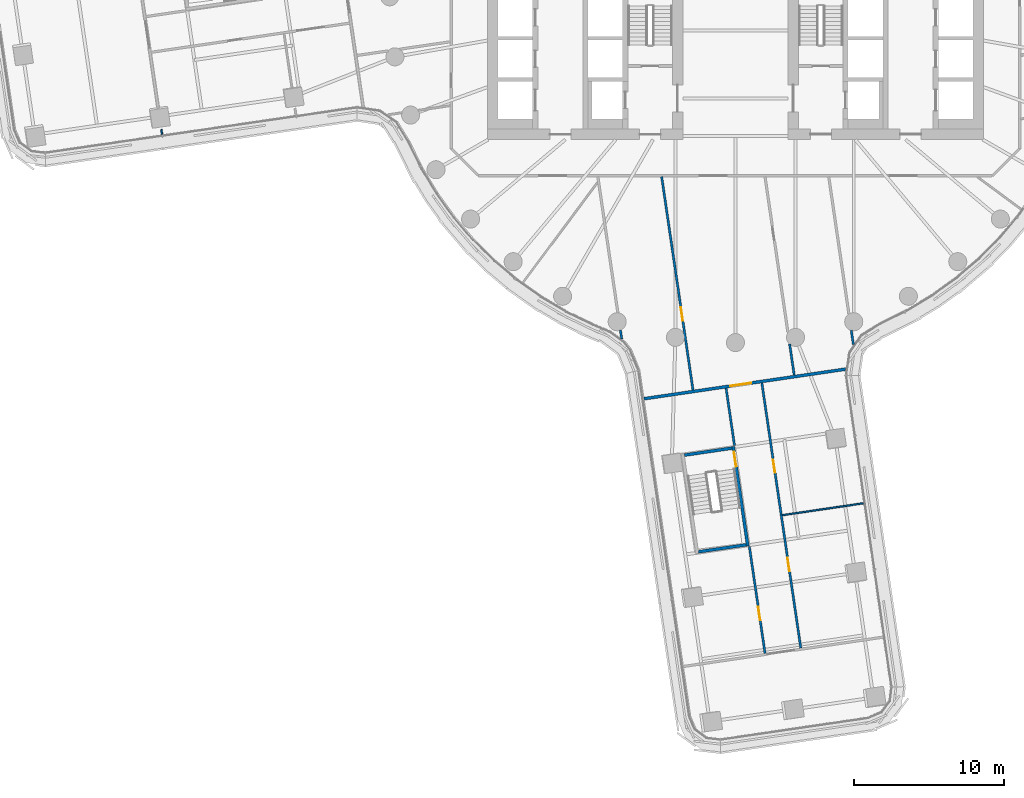
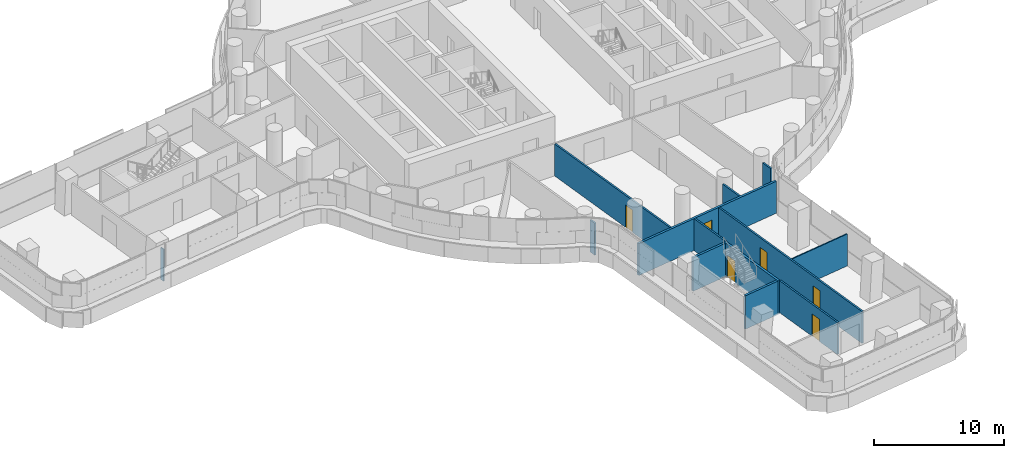
# One storey, part 19 of 31: 13 walls, 6 doors, 6 openings.
"""IFC4 building model written with IfcOpenShell, lengths in metres."""

from ifc_helpers import new_model, si_unit, direction, frame, frame_2d, origin, place, context, subcontext, project, spatial, polyline, rectangle, outline, extrude, material, layer, layer_set, type_object, element, fill, save


model = new_model("IFC4")

# Units and contexts
model_context = context("Model", 3, precision=1e-05, world=origin(), true_north=direction((0.0, 1.0)))
body_context = subcontext(model_context, "Body", "Model", "MODEL_VIEW")
ifc_project = project(units=[si_unit("LENGTHUNIT", "METRE"), si_unit("AREAUNIT", "SQUARE_METRE"), si_unit("VOLUMEUNIT", "CUBIC_METRE"), si_unit("PLANEANGLEUNIT", "RADIAN"), si_unit("MASSUNIT", "GRAM", prefix="KILO")], contexts=[model_context])

# Site, building, storey
site_placement = place(None, origin())
site = spatial("IfcSite", under=ifc_project, at=site_placement, CompositionType="ELEMENT")
building_placement = place(site_placement, origin())
building = spatial("IfcBuilding", under=site, at=building_placement, Name="Tamarind Cross Interchange Tower", CompositionType="ELEMENT")
storey_placement = place(building_placement, frame((0.0, 0.0, 64.0)))
storey = spatial("IfcBuildingStorey", under=building, at=storey_placement, Name="L14", CompositionType="ELEMENT", Elevation=64.0)

# Walls
ifc_material_1 = material(Name="Gypsum board partition on steel studs", Category="steel")
ifc_layer_1 = layer(ifc_material_1, 0.10009765625)
ifc_layer_set_1 = layer_set([ifc_layer_1], Name="Gypsum board partition on steel studs")
wall_type_1 = type_object("IfcWallType", Name="Partition 100 mm EI 90", PredefinedType="PARTITIONING", material=ifc_layer_set_1)
wall_1_placement = place(storey_placement, frame((-38.18994140625, -8.8203125, 0.0), z_axis=(0.0, 0.0, 1.0), x_axis=(0.145703721626, -0.98932826984, 0.0)))
element("IfcWall", 1, at=wall_1_placement, inside=storey, type_object=wall_type_1, Name="Partition L14-003", PredefinedType="PARTITIONING", context=body_context, shape_type="SweptSolid", body=[
    extrude(rectangle(XDim=0.335205078125, YDim=0.10009765625, at=frame_2d((0.16748046875, 0.0))), origin(), (0.0, 0.0, 1.0), 3.010009765625),
])
wall_2_placement = place(storey_placement, frame((3.1171875, -34.479736328125, 0.0), z_axis=(0.0, 0.0, 1.0), x_axis=(0.989367298144, 0.145438472775, 0.0)))
element("IfcWall", 2, at=wall_2_placement, inside=storey, type_object=wall_type_1, Name="Partition L14-064", PredefinedType="PARTITIONING", context=body_context, shape_type="SweptSolid", body=[
    extrude(rectangle(XDim=5.44384765625, YDim=0.10009765625, at=frame_2d((2.721923828125, 0.0))), origin(), (0.0, 0.0, 1.0), 3.010009765625),
])
ifc_layer_2 = layer(ifc_material_1, 0.14990234375)
ifc_layer_set_2 = layer_set([ifc_layer_2], Name="Gypsum board partition on steel studs")
wall_type_2 = type_object("IfcWallType", Name="Partition 150 mm EI 120", PredefinedType="PARTITIONING", material=ifc_layer_set_2)
wall_3_placement = place(storey_placement, frame((-7.65380859375, -22.166015625, 0.0), z_axis=(0.0, 0.0, 1.0), x_axis=(0.145848814809, -0.989306890312, 0.0)))
element("IfcWall", 3, at=wall_3_placement, inside=storey, type_object=wall_type_2, Name="Partition L14-008", PredefinedType="PARTITIONING", context=body_context, shape_type="SweptSolid", body=[
    extrude(rectangle(XDim=0.59423828125, YDim=0.14990234375, at=frame_2d((0.297119140625, 0.0))), origin(), (0.0, 0.0, 1.0), 3.010009765625),
])
wall_4_placement = place(storey_placement, frame((-0.62451171875, -26.033447265625, 0.0), z_axis=(0.0, 0.0, 1.0), x_axis=(0.145368383694, -0.989377598808, 0.0)))
element("IfcWall", 4, at=wall_4_placement, inside=storey, type_object=wall_type_2, Name="Partition L14-011", PredefinedType="PARTITIONING", context=body_context, shape_type="SweptSolid", body=[
    extrude(rectangle(XDim=3.861083984375, YDim=0.14990234375, at=frame_2d((1.9306640625, 0.0))), origin(), (0.0, 0.0, 1.0), 3.010009765625),
])

# Wall, opening, door
wall_5_placement = place(storey_placement, frame((0.922119140625, -36.560791015625, 0.0), z_axis=(0.0, 0.0, 1.0), x_axis=(0.145395120225, -0.989373670063, 0.0)))
wall_5 = element("IfcWall", 5, at=wall_5_placement, inside=storey, type_object=wall_type_2, Name="Partition L14-012", PredefinedType="PARTITIONING", context=body_context, shape_type="SweptSolid", body=[
    extrude(rectangle(XDim=7.18017578125, YDim=0.14990234375, at=frame_2d((3.590087890625, 0.0))), origin(), (0.0, 0.0, 1.0), 3.010009765625),
])
opening_1_placement = place(wall_5_placement, frame((4.050048828125, 0.0, 0.0)))
opening_1 = element("IfcOpeningElement", 6, at=opening_1_placement, cuts=wall_5, Name="Opening D03", PredefinedType="OPENING", context=body_context, shape_type="SweptSolid", body=[
    extrude(rectangle(XDim=0.89990234375, YDim=2.10009765625, at=frame_2d((0.449951171875, 1.050048828125))), frame((0.0, 0.0849609375, 0.0), z_axis=(0.0, -1.0, 0.0), x_axis=(1.0, 0.0, 0.0)), (0.0, 0.0, 1.0), 0.169921875),
])
ifc_material_2 = material(Name="Fire-resisting door set")
door_type_1 = type_object("IfcDoorType", Name="Interior door 900 x 2100 FD60S", OperationType="SINGLE_SWING_LEFT", PredefinedType="DOOR", material=ifc_material_2)
door_1_placement = place(opening_1_placement, frame((0.89990234375, 0.0, 0.0), z_axis=(0.0, 0.0, 1.0), x_axis=(-1.0, 0.0, 0.0)))
door_1 = element("IfcDoor", 7, at=door_1_placement, inside=storey, type_object=door_type_1, Name="Door D03", OperationType="SINGLE_SWING_RIGHT", OverallHeight=2.10009765625, OverallWidth=0.89990234375, PredefinedType="DOOR", context=body_context, shape_type="SweptSolid", body=[
    extrude(rectangle(XDim=0.89990234375, YDim=2.10009765625, at=frame_2d((0.449951171875, 1.050048828125))), frame((0.0, 0.02490234375, 0.0), z_axis=(0.0, -1.0, 0.0), x_axis=(1.0, 0.0, 0.0)), (0.0, 0.0, 1.0), 0.050048828125),
])
fill(opening_1, door_1)

wall_6_placement = place(storey_placement, frame((-4.909912109375, -11.96923828125, 0.0), z_axis=(0.0, 0.0, 1.0), x_axis=(0.145379771993, -0.989375925468, 0.0)))
wall_6 = element("IfcWall", 8, at=wall_6_placement, inside=storey, type_object=wall_type_2, Name="Partition L14-014", PredefinedType="PARTITIONING", context=body_context, shape_type="SweptSolid", body=[
    extrude(rectangle(XDim=14.338134765625, YDim=0.14990234375, at=frame_2d((7.1689453125, 0.0))), origin(), (0.0, 0.0, 1.0), 3.010009765625),
])
opening_2_placement = place(wall_6_placement, frame((8.780029296875, 0.0, 0.0)))
opening_2 = element("IfcOpeningElement", 9, at=opening_2_placement, cuts=wall_6, Name="Opening D04", PredefinedType="OPENING", context=body_context, shape_type="SweptSolid", body=[
    extrude(rectangle(XDim=0.89990234375, YDim=2.10009765625, at=frame_2d((0.449951171875, 1.050048828125))), frame((0.0, 0.0849609375, 0.0), z_axis=(0.0, -1.0, 0.0), x_axis=(1.0, 0.0, 0.0)), (0.0, 0.0, 1.0), 0.169921875),
])
door_2_placement = place(opening_2_placement, frame((0.89990234375, 0.0, 0.0), z_axis=(0.0, 0.0, 1.0), x_axis=(-1.0, 0.0, 0.0)))
door_2 = element("IfcDoor", 10, at=door_2_placement, inside=storey, type_object=door_type_1, Name="Door D04", OperationType="SINGLE_SWING_RIGHT", OverallHeight=2.10009765625, OverallWidth=0.89990234375, PredefinedType="DOOR", context=body_context, shape_type="SweptSolid", body=[
    extrude(rectangle(XDim=0.89990234375, YDim=2.10009765625, at=frame_2d((0.449951171875, 1.050048828125))), frame((0.0, 0.02490234375, 0.0), z_axis=(0.0, -1.0, 0.0), x_axis=(1.0, 0.0, 0.0)), (0.0, 0.0, 1.0), 0.050048828125),
])
fill(opening_2, door_2)

# Walls
wall_7_placement = place(storey_placement, frame((3.601318359375, -23.09130859375, 0.0), z_axis=(0.0, 0.0, 1.0), x_axis=(0.145571287671, -0.989347765048, 0.0)))
element("IfcWall", 11, at=wall_7_placement, inside=storey, type_object=wall_type_2, Name="Partition L14-017", PredefinedType="PARTITIONING", context=body_context, shape_type="SweptSolid", body=[
    extrude(rectangle(XDim=2.09130859375, YDim=0.14990234375, at=frame_2d((1.045654296875, 0.0))), origin(), (0.0, 0.0, 1.0), 3.010009765625),
])
wall_8_placement = place(storey_placement, frame((7.702880859375, -22.17919921875, 0.0), z_axis=(0.0, 0.0, 1.0), x_axis=(0.145348442492, -0.989380528546, 0.0)))
element("IfcWall", 12, at=wall_8_placement, inside=storey, type_object=wall_type_2, Name="Partition L14-023", PredefinedType="PARTITIONING", context=body_context, shape_type="SweptSolid", body=[
    extrude(rectangle(XDim=0.9658203125, YDim=0.14990234375, at=frame_2d((0.48291015625, 0.0))), origin(), (0.0, 0.0, 1.0), 3.010009765625),
])

# Wall, openings, doors
wall_9_placement = place(storey_placement, frame((1.75439453125, -25.683837890625, 0.0), z_axis=(0.0, 0.0, 1.0), x_axis=(0.145345335664, -0.98938098496, 0.0)))
wall_9 = element("IfcWall", 13, at=wall_9_placement, inside=storey, type_object=wall_type_2, Name="Partition L14-024", PredefinedType="PARTITIONING", context=body_context, shape_type="SweptSolid", body=[
    extrude(rectangle(XDim=17.8251953125, YDim=0.14990234375, at=frame_2d((8.91259765625, 0.0))), origin(), (0.0, 0.0, 1.0), 3.010009765625),
])
opening_3_placement = place(wall_9_placement, frame((5.14990234375, 0.0, 0.0)))
opening_3 = element("IfcOpeningElement", 14, at=opening_3_placement, cuts=wall_9, Name="Opening D12", PredefinedType="OPENING", context=body_context, shape_type="SweptSolid", body=[
    extrude(rectangle(XDim=0.89990234375, YDim=2.10009765625, at=frame_2d((0.449951171875, 1.050048828125))), frame((0.0, 0.0849609375, 0.0), z_axis=(0.0, -1.0, 0.0), x_axis=(1.0, 0.0, 0.0)), (0.0, 0.0, 1.0), 0.169921875),
])
opening_4_placement = place(wall_9_placement, frame((11.75048828125, 0.0, 0.0)))
opening_4 = element("IfcOpeningElement", 15, at=opening_4_placement, cuts=wall_9, Name="Opening D13", PredefinedType="OPENING", context=body_context, shape_type="SweptSolid", body=[
    extrude(rectangle(XDim=0.89990234375, YDim=2.10009765625, at=frame_2d((0.449951171875, 1.050048828125))), frame((0.0, 0.0849609375, 0.0), z_axis=(0.0, -1.0, 0.0), x_axis=(1.0, 0.0, 0.0)), (0.0, 0.0, 1.0), 0.169921875),
])
door_3_placement = place(opening_3_placement, origin())
door_3 = element("IfcDoor", 16, at=door_3_placement, inside=storey, type_object=door_type_1, Name="Door D12", OperationType="SINGLE_SWING_RIGHT", OverallHeight=2.10009765625, OverallWidth=0.89990234375, PredefinedType="DOOR", context=body_context, shape_type="SweptSolid", body=[
    extrude(rectangle(XDim=0.89990234375, YDim=2.10009765625, at=frame_2d((0.449951171875, 1.050048828125))), frame((0.0, 0.02490234375, 0.0), z_axis=(0.0, -1.0, 0.0), x_axis=(1.0, 0.0, 0.0)), (0.0, 0.0, 1.0), 0.050048828125),
])
fill(opening_3, door_3)
door_4_placement = place(opening_4_placement, origin())
door_4 = element("IfcDoor", 17, at=door_4_placement, inside=storey, type_object=door_type_1, Name="Door D13", OperationType="SINGLE_SWING_LEFT", OverallHeight=2.10009765625, OverallWidth=0.89990234375, PredefinedType="DOOR", context=body_context, shape_type="SweptSolid", body=[
    extrude(rectangle(XDim=0.89990234375, YDim=2.10009765625, at=frame_2d((0.449951171875, 1.050048828125))), frame((0.0, 0.02490234375, 0.0), z_axis=(0.0, -1.0, 0.0), x_axis=(1.0, 0.0, 0.0)), (0.0, 0.0, 1.0), 0.050048828125),
])
fill(opening_4, door_4)

# Wall, opening, door
ifc_layer_3 = layer(ifc_material_1, 0.199951171875)
ifc_layer_set_3 = layer_set([ifc_layer_3], Name="Gypsum board partition on steel studs")
wall_type_3 = type_object("IfcWallType", Name="Partition 200 mm EI 180", PredefinedType="PARTITIONING", material=ifc_layer_set_3)
wall_10_placement = place(storey_placement, frame((-6.075439453125, -26.73388671875, 0.0), z_axis=(0.0, 0.0, 1.0), x_axis=(0.989365163583, 0.145452992711, 0.0)))
wall_10 = element("IfcWall", 18, at=wall_10_placement, inside=storey, type_object=wall_type_3, Name="Partition L14-059", PredefinedType="PARTITIONING", context=body_context, shape_type="SweptSolid", body=[
    extrude(rectangle(XDim=13.543701171875, YDim=0.199951171875, at=frame_2d((6.77197265625, 0.0))), origin(), (0.0, 0.0, 1.0), 3.010009765625),
])
opening_5_placement = place(wall_10_placement, frame((5.798828125, 0.0, 0.0)))
opening_5 = element("IfcOpeningElement", 19, at=opening_5_placement, cuts=wall_10, Name="Opening D31", PredefinedType="OPENING", context=body_context, shape_type="SweptSolid", body=[
    extrude(rectangle(XDim=1.39990234375, YDim=2.10009765625, at=frame_2d((0.699951171875, 1.050048828125))), frame((0.0, 0.10986328125, 0.0), z_axis=(0.0, -1.0, 0.0), x_axis=(1.0, 0.0, 0.0)), (0.0, 0.0, 1.0), 0.219970703125),
])
door_type_2 = type_object("IfcDoorType", Name="Interior door 1400 x 2100 FD120S", OperationType="DOUBLE_DOOR_SINGLE_SWING", PredefinedType="DOOR", material=ifc_material_2)
door_5_placement = place(opening_5_placement, origin())
door_5 = element("IfcDoor", 20, at=door_5_placement, inside=storey, type_object=door_type_2, Name="Door D31", OperationType="DOUBLE_DOOR_SINGLE_SWING", OverallHeight=2.10009765625, OverallWidth=1.39990234375, PredefinedType="DOOR", context=body_context, shape_type="SweptSolid", body=[
    extrude(rectangle(XDim=1.39990234375, YDim=2.10009765625, at=frame_2d((0.699951171875, 1.050048828125))), frame((0.0, 0.02490234375, 0.0), z_axis=(0.0, -1.0, 0.0), x_axis=(1.0, 0.0, 0.0)), (0.0, 0.0, 1.0), 0.050048828125),
])
fill(opening_5, door_5)

ifc_material_3 = material(Name="Concrete C40", Category="concrete")
ifc_layer_4 = layer(ifc_material_3, 0.199951171875)
ifc_layer_set_4 = layer_set([ifc_layer_4], Name="Concrete C40")
wall_type_4 = type_object("IfcWallType", Name="Stair shaft wall 200 mm Concrete C40", PredefinedType="SHEAR", material=ifc_layer_set_4)
wall_11_placement = place(storey_placement, frame((-0.15234375, -29.906005859375, -0.139892578125), z_axis=(0.0, 0.0, 1.0), x_axis=(0.145353418254, -0.989379797551, 0.0)))
wall_11 = element("IfcWall", 21, at=wall_11_placement, inside=storey, type_object=wall_type_4, Name="Core wall CWL-L14-ST6-H", PredefinedType="SHEAR", context=body_context, shape_type="SweptSolid", body=[
    extrude(rectangle(XDim=6.699951171875, YDim=0.199951171875, at=frame_2d((3.35009765625, 0.0))), origin(), (0.0, 0.0, 1.0), 3.14990234375),
])
opening_6_placement = place(wall_11_placement, frame((0.35009765625, 0.0, 0.0)))
opening_6 = element("IfcOpeningElement", 22, at=opening_6_placement, cuts=wall_11, Name="Opening ST6L14", PredefinedType="OPENING", context=body_context, shape_type="SweptSolid", body=[
    extrude(rectangle(XDim=1.0, YDim=2.10009765625, at=frame_2d((0.5, 1.050048828125))), frame((0.0, 0.10986328125, 0.0), z_axis=(0.0, -1.0, 0.0), x_axis=(1.0, 0.0, 0.0)), (0.0, 0.0, 1.0), 0.219970703125),
])
ifc_material_4 = material(Name="Steel, fire-resisting", Category="steel")
door_type_3 = type_object("IfcDoorType", Name="Core fire door 1000 x 2100 FD90", OperationType="SINGLE_SWING_LEFT", PredefinedType="DOOR", material=ifc_material_4)
door_6_placement = place(opening_6_placement, origin())
door_6 = element("IfcDoor", 23, at=door_6_placement, inside=storey, type_object=door_type_3, Name="L14 stair door ST6", OperationType="SINGLE_SWING_LEFT", OverallHeight=2.10009765625, OverallWidth=1.0, PredefinedType="DOOR", context=body_context, shape_type="SweptSolid", body=[
    extrude(rectangle(XDim=1.0, YDim=2.10009765625, at=frame_2d((0.5, 1.050048828125))), frame((0.0, 0.02490234375, 0.0), z_axis=(0.0, -1.0, 0.0), x_axis=(1.0, 0.0, 0.0)), (0.0, 0.0, 1.0), 0.050048828125),
])
fill(opening_6, door_6)

# Walls
wall_12_placement = place(storey_placement, frame((-3.40283203125, -30.48486328125, -0.139892578125), z_axis=(0.0, 0.0, 1.0), x_axis=(0.989370760303, 0.145414918965, 0.0)))
element("IfcWall", 24, at=wall_12_placement, inside=storey, type_object=wall_type_4, Name="Core wall CWL-L14-ST6-CE", PredefinedType="SHEAR", context=body_context, shape_type="SweptSolid", body=[
    extrude(rectangle(XDim=3.199951171875, YDim=0.199951171875, at=frame_2d((1.60009765625, 0.0))), origin(), (0.0, 0.0, 1.0), 3.14990234375),
])
wall_13_placement = place(storey_placement, frame((0.0, 0.0, -0.139892578125)))
element("IfcWall", 25, at=wall_13_placement, inside=storey, type_object=wall_type_4, Name="Core wall CWL-L14-ST6-CF", PredefinedType="SHEAR", context=body_context, shape_type="SweptSolid", body=[
    extrude(outline(polyline([(-2.472412109375, -36.81689453125), (-2.443359375, -37.0146484375), (0.72265625, -36.549560546875), (0.693603515625, -36.3515625), (-2.472412109375, -36.81689453125)])), origin(), (0.0, 0.0, 1.0), 3.14990234375),
])

save(model, "model.ifc")
